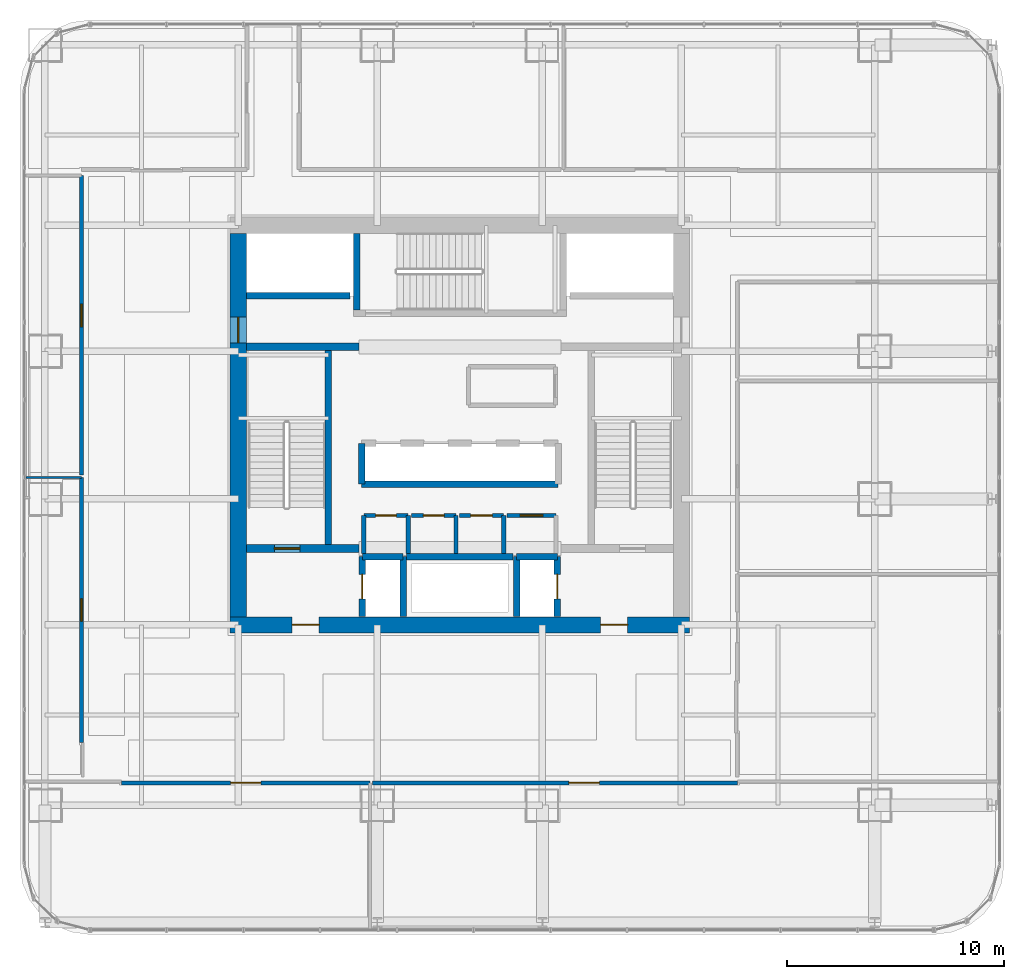
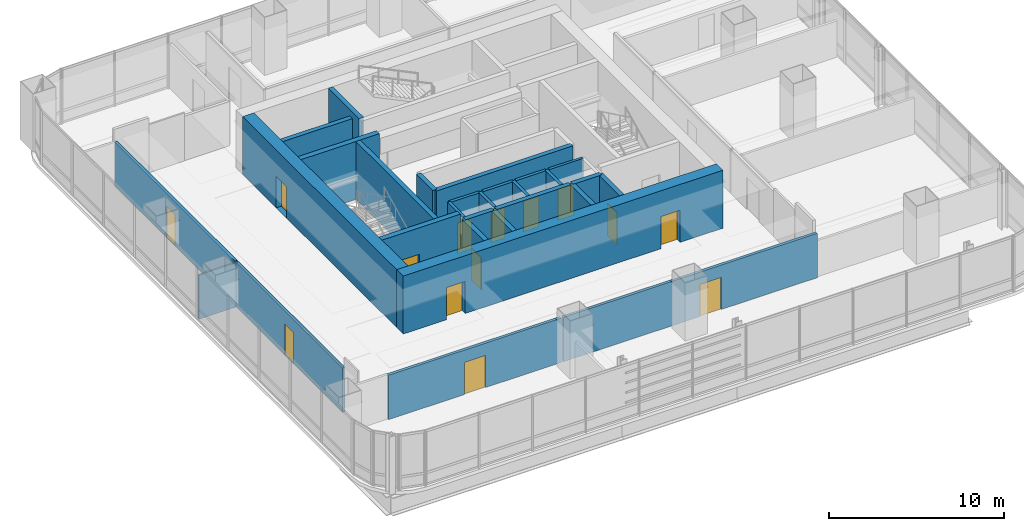
# One storey, part 27 of 35: 29 walls, 14 doors, 14 openings.
"""IFC4 building model written with IfcOpenShell, lengths in metres."""

from ifc_helpers import new_model, si_unit, direction, frame, frame_2d, origin, place, context, subcontext, project, spatial, rectangle, extrude, material, layer, layer_set, type_object, element, fill, save


model = new_model("IFC4")

# Units and contexts
model_context = context("Model", 3, precision=1e-05, world=origin(), true_north=direction((0.0, 1.0)))
body_context = subcontext(model_context, "Body", "Model", "MODEL_VIEW")
ifc_project = project(units=[si_unit("LENGTHUNIT", "METRE"), si_unit("AREAUNIT", "SQUARE_METRE"), si_unit("VOLUMEUNIT", "CUBIC_METRE"), si_unit("PLANEANGLEUNIT", "RADIAN"), si_unit("MASSUNIT", "GRAM", prefix="KILO")], contexts=[model_context])

# Site, building, storey
site_placement = place(None, origin())
site = spatial("IfcSite", under=ifc_project, at=site_placement, CompositionType="ELEMENT")
building_placement = place(site_placement, origin())
building = spatial("IfcBuilding", under=site, at=building_placement, Name="Punatoya Terracotta Tower", CompositionType="ELEMENT")
storey_placement = place(building_placement, frame((0.0, 0.0, 72.75)))
storey = spatial("IfcBuildingStorey", under=building, at=storey_placement, Name="L16", CompositionType="ELEMENT", Elevation=72.75)

# Wall, openings, doors
ifc_material_1 = material(Name="Concrete C60/75", Category="concrete")
ifc_layer_1 = layer(ifc_material_1, 0.75)
ifc_layer_set_1 = layer_set([ifc_layer_1], Name="Concrete C60/75")
wall_type_1 = type_object("IfcWallType", Name="WL-COR-750", PredefinedType="SHEAR", material=ifc_layer_set_1)
wall_1_placement = place(storey_placement, frame((10.574951171875, -9.199951171875, 0.0), z_axis=(0.0, 0.0, 1.0), x_axis=(-1.0, 0.0, 0.0)))
wall_1 = element("IfcWall", 1, at=wall_1_placement, inside=storey, type_object=wall_type_1, Name="L16 Core Shear Wall S", PredefinedType="SHEAR", context=body_context, shape_type="SweptSolid", body=[
    extrude(rectangle(XDim=21.14990234375, YDim=0.75, at=frame_2d((10.574951171875, 0.0))), origin(), (0.0, 0.0, 1.0), 4.050048828125),
])
opening_1_placement = place(wall_1_placement, frame((2.85009765625, 0.0, 0.0)))
opening_1 = element("IfcOpeningElement", 2, at=opening_1_placement, cuts=wall_1, Name="Opening FD-L1", PredefinedType="OPENING", context=body_context, shape_type="SweptSolid", body=[
    extrude(rectangle(XDim=1.25, YDim=2.25, at=frame_2d((0.625, 1.125))), frame((0.0, 0.385009765625, 0.0), z_axis=(0.0, -1.0, 0.0), x_axis=(1.0, 0.0, 0.0)), (0.0, 0.0, 1.0), 0.77001953125),
])
opening_2_placement = place(wall_1_placement, frame((17.050048828125, 0.0, 0.0)))
opening_2 = element("IfcOpeningElement", 3, at=opening_2_placement, cuts=wall_1, Name="Opening FD-L1", PredefinedType="OPENING", context=body_context, shape_type="SweptSolid", body=[
    extrude(rectangle(XDim=1.25, YDim=2.25, at=frame_2d((0.625, 1.125))), frame((0.0, 0.385009765625, 0.0), z_axis=(0.0, -1.0, 0.0), x_axis=(1.0, 0.0, 0.0)), (0.0, 0.0, 1.0), 0.77001953125),
])
ifc_material_2 = material(Name="Galvanised Steel Smokeproof Fire Door", Category="steel")
door_type_1 = type_object("IfcDoorType", Name="DR-FFL-1250", OperationType="NOTDEFINED", PredefinedType="DOOR", material=ifc_material_2)
door_1_placement = place(opening_1_placement, origin())
door_1 = element("IfcDoor", 4, at=door_1_placement, inside=storey, type_object=door_type_1, Name="L16 East Firefighting Lobby Corridor Fire Door", OperationType="SINGLE_SWING_LEFT", OverallHeight=2.25, OverallWidth=1.25, PredefinedType="DOOR", context=body_context, shape_type="SweptSolid", body=[
    extrude(rectangle(XDim=1.25, YDim=2.25, at=frame_2d((0.625, 1.125))), frame((0.0, 0.02490234375, 0.0), z_axis=(0.0, -1.0, 0.0), x_axis=(1.0, 0.0, 0.0)), (0.0, 0.0, 1.0), 0.050048828125),
])
fill(opening_1, door_1)
door_2_placement = place(opening_2_placement, origin())
door_2 = element("IfcDoor", 5, at=door_2_placement, inside=storey, type_object=door_type_1, Name="L16 West Firefighting Lobby Corridor Fire Door", OperationType="SINGLE_SWING_RIGHT", OverallHeight=2.25, OverallWidth=1.25, PredefinedType="DOOR", context=body_context, shape_type="SweptSolid", body=[
    extrude(rectangle(XDim=1.25, YDim=2.25, at=frame_2d((0.625, 1.125))), frame((0.0, 0.02490234375, 0.0), z_axis=(0.0, -1.0, 0.0), x_axis=(1.0, 0.0, 0.0)), (0.0, 0.0, 1.0), 0.050048828125),
])
fill(opening_2, door_2)

# Wall, opening, door
wall_2_placement = place(storey_placement, frame((-10.199951171875, -8.824951171875, 0.0), z_axis=(0.0, 0.0, 1.0), x_axis=(0.0, 1.0, 0.0)))
wall_2 = element("IfcWall", 6, at=wall_2_placement, inside=storey, type_object=wall_type_1, Name="L16 Core Shear Wall W", PredefinedType="SHEAR", context=body_context, shape_type="SweptSolid", body=[
    extrude(rectangle(XDim=17.64990234375, YDim=0.75, at=frame_2d((8.824951171875, 0.0))), origin(), (0.0, 0.0, 1.0), 4.050048828125),
])
opening_3_placement = place(wall_2_placement, frame((12.614990234375, 0.0, 0.0)))
opening_3 = element("IfcOpeningElement", 7, at=opening_3_placement, cuts=wall_2, Name="Opening SD-01", PredefinedType="OPENING", context=body_context, shape_type="SweptSolid", body=[
    extrude(rectangle(XDim=1.179931640625, YDim=2.199951171875, at=frame_2d((0.58984375, 1.10009765625))), frame((0.0, 0.385009765625, 0.0), z_axis=(0.0, -1.0, 0.0), x_axis=(1.0, 0.0, 0.0)), (0.0, 0.0, 1.0), 0.77001953125),
])
ifc_material_3 = material(Name="Galvanised Steel Pressurized Stair Fire Door", Category="steel")
door_type_2 = type_object("IfcDoorType", Name="DR-STR-1180", OperationType="NOTDEFINED", PredefinedType="DOOR", material=ifc_material_3)
door_3_placement = place(opening_3_placement, origin())
door_3 = element("IfcDoor", 8, at=door_3_placement, inside=storey, type_object=door_type_2, Name="L16 Central Lift Lobby West Fire Door", OperationType="SINGLE_SWING_LEFT", OverallHeight=2.199951171875, OverallWidth=1.179931640625, PredefinedType="DOOR", context=body_context, shape_type="SweptSolid", body=[
    extrude(rectangle(XDim=1.179931640625, YDim=2.199951171875, at=frame_2d((0.58984375, 1.10009765625))), frame((0.0, 0.02490234375, 0.0), z_axis=(0.0, -1.0, 0.0), x_axis=(1.0, 0.0, 0.0)), (0.0, 0.0, 1.0), 0.050048828125),
])
fill(opening_3, door_3)

ifc_material_4 = material(Name="Gypsum Fireboard + Steel Stud", Category="steel")
ifc_layer_2 = layer(ifc_material_4, 0.179931640625)
ifc_layer_set_2 = layer_set([ifc_layer_2], Name="Gypsum Fireboard + Steel Stud")
wall_type_2 = type_object("IfcWallType", Name="WL-CORR-180", PredefinedType="PARTITIONING", material=ifc_layer_set_2)
wall_3_placement = place(storey_placement, frame((4.419921875, -4.159912109375, 0.0), z_axis=(0.0, 0.0, 1.0), x_axis=(-1.0, 0.0, 0.0)))
wall_3 = element("IfcWall", 9, at=wall_3_placement, inside=storey, type_object=wall_type_2, Name="L16 Core Reprographics Studio Partition 09", PredefinedType="PARTITIONING", context=body_context, shape_type="SweptSolid", body=[
    extrude(rectangle(XDim=2.239990234375, YDim=0.179931640625, at=frame_2d((1.1201171875, 0.0))), origin(), (0.0, 0.0, 1.0), 3.81005859375),
])
opening_4_placement = place(wall_3_placement, frame((0.594970703125, 0.0, 0.0)))
opening_4 = element("IfcOpeningElement", 10, at=opening_4_placement, cuts=wall_3, Name="Opening OD-01", PredefinedType="OPENING", context=body_context, shape_type="SweptSolid", body=[
    extrude(rectangle(XDim=1.050048828125, YDim=2.199951171875, at=frame_2d((0.52490234375, 1.10009765625))), frame((0.0, 0.099853515625, 0.0), z_axis=(0.0, -1.0, 0.0), x_axis=(1.0, 0.0, 0.0)), (0.0, 0.0, 1.0), 0.199951171875),
])
ifc_material_5 = material(Name="Bengal Teak Solid-Core Leaf")
door_type_3 = type_object("IfcDoorType", Name="DR-OFF-1050", OperationType="NOTDEFINED", PredefinedType="DOOR", material=ifc_material_5)
door_4_placement = place(opening_4_placement, origin())
door_4 = element("IfcDoor", 11, at=door_4_placement, inside=storey, type_object=door_type_3, Name="L16 Reprographics Studio Door", OperationType="SINGLE_SWING_RIGHT", OverallHeight=2.199951171875, OverallWidth=1.050048828125, PredefinedType="DOOR", context=body_context, shape_type="SweptSolid", body=[
    extrude(rectangle(XDim=1.050048828125, YDim=2.199951171875, at=frame_2d((0.52490234375, 1.10009765625))), frame((0.0, 0.02490234375, 0.0), z_axis=(0.0, -1.0, 0.0), x_axis=(1.0, 0.0, 0.0)), (0.0, 0.0, 1.0), 0.050048828125),
])
fill(opening_4, door_4)

wall_4_placement = place(storey_placement, frame((-15.570068359375, -16.469970703125, 0.0), z_axis=(0.0, 0.0, 1.0), x_axis=(1.0, 0.0, 0.0)))
wall_4 = element("IfcWall", 12, at=wall_4_placement, inside=storey, type_object=wall_type_2, Name="L16 Open-Plan Plenary Seminar Room Partition 15", PredefinedType="PARTITIONING", context=body_context, shape_type="SweptSolid", body=[
    extrude(rectangle(XDim=11.427978515625, YDim=0.179931640625, at=frame_2d((5.7138671875, 0.0))), origin(), (0.0, 0.0, 1.0), 3.10400390625),
])
opening_5_placement = place(wall_4_placement, frame((5.013916015625, 0.0, 0.0)))
opening_5 = element("IfcOpeningElement", 13, at=opening_5_placement, cuts=wall_4, Name="Opening BD-01", PredefinedType="OPENING", context=body_context, shape_type="SweptSolid", body=[
    extrude(rectangle(XDim=1.39990234375, YDim=2.25, at=frame_2d((0.699951171875, 1.125))), frame((0.0, 0.099853515625, 0.0), z_axis=(0.0, -1.0, 0.0), x_axis=(1.0, 0.0, 0.0)), (0.0, 0.0, 1.0), 0.199951171875),
])
ifc_material_6 = material(Name="Bengal Teak Acoustic Leaf")
door_type_4 = type_object("IfcDoorType", Name="DR-BRD-1400", OperationType="NOTDEFINED", PredefinedType="DOOR", material=ifc_material_6)
door_5_placement = place(opening_5_placement, origin())
door_5 = element("IfcDoor", 14, at=door_5_placement, inside=storey, type_object=door_type_4, Name="L16 Open-Plan Plenary Seminar Room Door", OperationType="SINGLE_SWING_RIGHT", OverallHeight=2.25, OverallWidth=1.39990234375, PredefinedType="DOOR", context=body_context, shape_type="SweptSolid", body=[
    extrude(rectangle(XDim=1.39990234375, YDim=2.25, at=frame_2d((0.699951171875, 1.125))), frame((0.0, 0.02490234375, 0.0), z_axis=(0.0, -1.0, 0.0), x_axis=(1.0, 0.0, 0.0)), (0.0, 0.0, 1.0), 0.050048828125),
])
fill(opening_5, door_5)

wall_5_placement = place(storey_placement, frame((-4.02197265625, -16.469970703125, 0.0), z_axis=(0.0, 0.0, 1.0), x_axis=(1.0, 0.0, 0.0)))
wall_5 = element("IfcWall", 15, at=wall_5_placement, inside=storey, type_object=wall_type_2, Name="L16 Client Strategy Boardroom Partition 17", PredefinedType="PARTITIONING", context=body_context, shape_type="SweptSolid", body=[
    extrude(rectangle(XDim=16.7919921875, YDim=0.179931640625, at=frame_2d((8.39599609375, 0.0))), origin(), (0.0, 0.0, 1.0), 3.10400390625),
])
opening_6_placement = place(wall_5_placement, frame((9.0458984375, 0.0, 0.0)))
opening_6 = element("IfcOpeningElement", 16, at=opening_6_placement, cuts=wall_5, Name="Opening BD-01", PredefinedType="OPENING", context=body_context, shape_type="SweptSolid", body=[
    extrude(rectangle(XDim=1.39990234375, YDim=2.25, at=frame_2d((0.699951171875, 1.125))), frame((0.0, 0.099853515625, 0.0), z_axis=(0.0, -1.0, 0.0), x_axis=(1.0, 0.0, 0.0)), (0.0, 0.0, 1.0), 0.199951171875),
])
door_6_placement = place(opening_6_placement, origin())
door_6 = element("IfcDoor", 17, at=door_6_placement, inside=storey, type_object=door_type_4, Name="L16 Client Strategy Boardroom Door", OperationType="SINGLE_SWING_LEFT", OverallHeight=2.25, OverallWidth=1.39990234375, PredefinedType="DOOR", context=body_context, shape_type="SweptSolid", body=[
    extrude(rectangle(XDim=1.39990234375, YDim=2.25, at=frame_2d((0.699951171875, 1.125))), frame((0.0, 0.02490234375, 0.0), z_axis=(0.0, -1.0, 0.0), x_axis=(1.0, 0.0, 0.0)), (0.0, 0.0, 1.0), 0.050048828125),
])
fill(opening_6, door_6)

wall_6_placement = place(storey_placement, frame((-17.419921875, -2.409912109375, 0.0), z_axis=(0.0, 0.0, 1.0), x_axis=(0.0, -1.0, 0.0)))
wall_6 = element("IfcWall", 18, at=wall_6_placement, inside=storey, type_object=wall_type_2, Name="L16 Open-Plan Executive Briefing Room Partition 24", PredefinedType="PARTITIONING", context=body_context, shape_type="SweptSolid", body=[
    extrude(rectangle(XDim=12.210205078125, YDim=0.179931640625, at=frame_2d((6.10498046875, 0.0))), origin(), (0.0, 0.0, 1.0), 3.10400390625),
])
opening_7_placement = place(wall_6_placement, frame((5.594970703125, 0.0, 0.0)))
opening_7 = element("IfcOpeningElement", 19, at=opening_7_placement, cuts=wall_6, Name="Opening MD-01", PredefinedType="OPENING", context=body_context, shape_type="SweptSolid", body=[
    extrude(rectangle(XDim=1.02001953125, YDim=2.199951171875, at=frame_2d((0.510009765625, 1.10009765625))), frame((0.0, 0.099853515625, 0.0), z_axis=(0.0, -1.0, 0.0), x_axis=(1.0, 0.0, 0.0)), (0.0, 0.0, 1.0), 0.199951171875),
])
ifc_material_7 = material(Name="Aluminium + Acoustic Glass Leaf", Category="aluminium")
door_type_5 = type_object("IfcDoorType", Name="DR-MTG-1020", OperationType="NOTDEFINED", PredefinedType="DOOR", material=ifc_material_7)
door_7_placement = place(opening_7_placement, origin())
door_7 = element("IfcDoor", 20, at=door_7_placement, inside=storey, type_object=door_type_5, Name="L16 Open-Plan Executive Briefing Room Door", OperationType="SINGLE_SWING_LEFT", OverallHeight=2.199951171875, OverallWidth=1.02001953125, PredefinedType="DOOR", context=body_context, shape_type="SweptSolid", body=[
    extrude(rectangle(XDim=1.02001953125, YDim=2.199951171875, at=frame_2d((0.510009765625, 1.10009765625))), frame((0.0, 0.02490234375, 0.0), z_axis=(0.0, -1.0, 0.0), x_axis=(1.0, 0.0, 0.0)), (0.0, 0.0, 1.0), 0.050048828125),
])
fill(opening_7, door_7)

wall_7_placement = place(storey_placement, frame((-17.419921875, 11.489990234375, 0.0), z_axis=(0.0, 0.0, 1.0), x_axis=(0.0, -1.0, 0.0)))
wall_7 = element("IfcWall", 21, at=wall_7_placement, inside=storey, type_object=wall_type_2, Name="L16 Open-Plan Wellness Focus Room Partition 31", PredefinedType="PARTITIONING", context=body_context, shape_type="SweptSolid", body=[
    extrude(rectangle(XDim=13.780029296875, YDim=0.179931640625, at=frame_2d((6.89013671875, 0.0))), origin(), (0.0, 0.0, 1.0), 3.10400390625),
])
opening_8_placement = place(wall_7_placement, frame((5.9150390625, 0.0, 0.0)))
opening_8 = element("IfcOpeningElement", 22, at=opening_8_placement, cuts=wall_7, Name="Opening OD-01", PredefinedType="OPENING", context=body_context, shape_type="SweptSolid", body=[
    extrude(rectangle(XDim=1.050048828125, YDim=2.199951171875, at=frame_2d((0.52490234375, 1.10009765625))), frame((0.0, 0.099853515625, 0.0), z_axis=(0.0, -1.0, 0.0), x_axis=(1.0, 0.0, 0.0)), (0.0, 0.0, 1.0), 0.199951171875),
])
door_8_placement = place(opening_8_placement, origin())
door_8 = element("IfcDoor", 23, at=door_8_placement, inside=storey, type_object=door_type_3, Name="L16 Open-Plan Wellness Focus Room Door", OperationType="SINGLE_SWING_RIGHT", OverallHeight=2.199951171875, OverallWidth=1.050048828125, PredefinedType="DOOR", context=body_context, shape_type="SweptSolid", body=[
    extrude(rectangle(XDim=1.050048828125, YDim=2.199951171875, at=frame_2d((0.52490234375, 1.10009765625))), frame((0.0, 0.02490234375, 0.0), z_axis=(0.0, -1.0, 0.0), x_axis=(1.0, 0.0, 0.0)), (0.0, 0.0, 1.0), 0.050048828125),
])
fill(opening_8, door_8)

# Walls
ifc_material_8 = material(Name="Aluminium Framed Acoustic Glass Partition", Category="aluminium")
ifc_layer_3 = layer(ifc_material_8, 0.10009765625)
ifc_layer_set_3 = layer_set([ifc_layer_3], Name="Aluminium Framed Acoustic Glass Partition")
wall_type_3 = type_object("IfcWallType", Name="WL-GLZ-100", PredefinedType="PARTITIONING", material=ifc_layer_set_3)
wall_8_placement = place(storey_placement, frame((-19.969970703125, -2.409912109375, 0.0), z_axis=(0.0, 0.0, 1.0), x_axis=(1.0, 0.0, 0.0)))
element("IfcWall", 24, at=wall_8_placement, inside=storey, type_object=wall_type_3, Name="L16 Open-Plan Executive Briefing Room Partition 23", PredefinedType="PARTITIONING", context=body_context, shape_type="SweptSolid", body=[
    extrude(rectangle(XDim=2.550048828125, YDim=0.10009765625, at=frame_2d((1.27490234375, 0.0))), origin(), (0.0, 0.0, 1.0), 3.10400390625),
])
ifc_material_9 = material(Name="Concrete C40/50", Category="concrete")
ifc_layer_4 = layer(ifc_material_9, 0.199951171875)
ifc_layer_set_4 = layer_set([ifc_layer_4], Name="Concrete C40/50")
wall_type_4 = type_object("IfcWallType", Name="WL-INT-200", PredefinedType="SOLIDWALL", material=ifc_layer_set_4)
wall_9_placement = place(storey_placement, frame((-2.3798828125, -5.89990234375, 0.0), z_axis=(0.0, 0.0, 1.0), x_axis=(0.0, 1.0, 0.0)))
element("IfcWall", 25, at=wall_9_placement, inside=storey, type_object=wall_type_4, Name="L16 Male Washroom Partition 01", PredefinedType="SOLIDWALL", context=body_context, shape_type="SweptSolid", body=[
    extrude(rectangle(XDim=1.739990234375, YDim=0.199951171875, at=frame_2d((0.8701171875, 0.0))), origin(), (0.0, 0.0, 1.0), 3.81005859375),
])

# Wall, opening, door
wall_10_placement = place(storey_placement, frame((-2.3798828125, -4.159912109375, 0.0), z_axis=(0.0, 0.0, 1.0), x_axis=(-1.0, 0.0, 0.0)))
wall_10 = element("IfcWall", 26, at=wall_10_placement, inside=storey, type_object=wall_type_4, Name="L16 Male Washroom Partition 02", PredefinedType="SOLIDWALL", context=body_context, shape_type="SweptSolid", body=[
    extrude(rectangle(XDim=2.0400390625, YDim=0.199951171875, at=frame_2d((1.02001953125, 0.0))), origin(), (0.0, 0.0, 1.0), 3.81005859375),
])
opening_9_placement = place(wall_10_placement, frame((0.544921875, 0.0, 0.0)))
opening_9 = element("IfcOpeningElement", 27, at=opening_9_placement, cuts=wall_10, Name="Opening WD-01", PredefinedType="OPENING", context=body_context, shape_type="SweptSolid", body=[
    extrude(rectangle(XDim=0.949951171875, YDim=2.14990234375, at=frame_2d((0.47509765625, 1.074951171875))), frame((0.0, 0.10986328125, 0.0), z_axis=(0.0, -1.0, 0.0), x_axis=(1.0, 0.0, 0.0)), (0.0, 0.0, 1.0), 0.219970703125),
])
ifc_material_10 = material(Name="Moisture-Resistant Laminate Timber Leaf", Category="wood")
door_type_6 = type_object("IfcDoorType", Name="DR-WC-950", OperationType="NOTDEFINED", PredefinedType="DOOR", material=ifc_material_10)
door_9_placement = place(opening_9_placement, origin())
door_9 = element("IfcDoor", 28, at=door_9_placement, inside=storey, type_object=door_type_6, Name="L16 Male Washroom Door", OperationType="SINGLE_SWING_LEFT", OverallHeight=2.14990234375, OverallWidth=0.949951171875, PredefinedType="DOOR", context=body_context, shape_type="SweptSolid", body=[
    extrude(rectangle(XDim=0.949951171875, YDim=2.14990234375, at=frame_2d((0.47509765625, 1.074951171875))), frame((0.0, 0.02490234375, 0.0), z_axis=(0.0, -1.0, 0.0), x_axis=(1.0, 0.0, 0.0)), (0.0, 0.0, 1.0), 0.050048828125),
])
fill(opening_9, door_9)

# Walls
for number, where, z_axis, x_axis, name in (
    (29, (-4.419921875, -4.159912109375, 0.0), (0.0, 0.0, 1.0), (0.0, -1.0, 0.0), "L16 Male Washroom Partition 03"),
    (30, (-0.179931640625, -5.89990234375, 0.0), (0.0, 0.0, 1.0), (0.0, 1.0, 0.0), "L16 Female Washroom Partition 04"),
):
    element("IfcWall", number, at=place(storey_placement, frame(where, z_axis=z_axis, x_axis=x_axis)), inside=storey, type_object=wall_type_4, Name=name, PredefinedType="SOLIDWALL", context=body_context, shape_type="SweptSolid", body=[
        extrude(rectangle(XDim=1.739990234375, YDim=0.199951171875, at=frame_2d((0.8701171875, 0.0))), origin(), (0.0, 0.0, 1.0), 3.81005859375),
    ])

# Wall, opening, door
wall_11_placement = place(storey_placement, frame((-0.179931640625, -4.159912109375, 0.0), z_axis=(0.0, 0.0, 1.0), x_axis=(-1.0, 0.0, 0.0)))
wall_11 = element("IfcWall", 31, at=wall_11_placement, inside=storey, type_object=wall_type_4, Name="L16 Female Washroom Partition 05", PredefinedType="SOLIDWALL", context=body_context, shape_type="SweptSolid", body=[
    extrude(rectangle(XDim=2.0400390625, YDim=0.199951171875, at=frame_2d((1.02001953125, 0.0))), origin(), (0.0, 0.0, 1.0), 3.81005859375),
])
opening_10_placement = place(wall_11_placement, frame((0.544921875, 0.0, 0.0)))
opening_10 = element("IfcOpeningElement", 32, at=opening_10_placement, cuts=wall_11, Name="Opening WD-01", PredefinedType="OPENING", context=body_context, shape_type="SweptSolid", body=[
    extrude(rectangle(XDim=0.949951171875, YDim=2.14990234375, at=frame_2d((0.47509765625, 1.074951171875))), frame((0.0, 0.10986328125, 0.0), z_axis=(0.0, -1.0, 0.0), x_axis=(1.0, 0.0, 0.0)), (0.0, 0.0, 1.0), 0.219970703125),
])
door_10_placement = place(opening_10_placement, origin())
door_10 = element("IfcDoor", 33, at=door_10_placement, inside=storey, type_object=door_type_6, Name="L16 Female Washroom Door", OperationType="SINGLE_SWING_RIGHT", OverallHeight=2.14990234375, OverallWidth=0.949951171875, PredefinedType="DOOR", context=body_context, shape_type="SweptSolid", body=[
    extrude(rectangle(XDim=0.949951171875, YDim=2.14990234375, at=frame_2d((0.47509765625, 1.074951171875))), frame((0.0, 0.02490234375, 0.0), z_axis=(0.0, -1.0, 0.0), x_axis=(1.0, 0.0, 0.0)), (0.0, 0.0, 1.0), 0.050048828125),
])
fill(opening_10, door_10)

# Wall
wall_12_placement = place(storey_placement, frame((2.02001953125, -5.89990234375, 0.0), z_axis=(0.0, 0.0, 1.0), x_axis=(0.0, 1.0, 0.0)))
element("IfcWall", 34, at=wall_12_placement, inside=storey, type_object=wall_type_4, Name="L16 Accessible Universal Washroom Partition 06", PredefinedType="SOLIDWALL", context=body_context, shape_type="SweptSolid", body=[
    extrude(rectangle(XDim=1.739990234375, YDim=0.199951171875, at=frame_2d((0.8701171875, 0.0))), origin(), (0.0, 0.0, 1.0), 3.81005859375),
])

# Wall, opening, door
wall_13_placement = place(storey_placement, frame((2.02001953125, -4.159912109375, 0.0), z_axis=(0.0, 0.0, 1.0), x_axis=(-1.0, 0.0, 0.0)))
wall_13 = element("IfcWall", 35, at=wall_13_placement, inside=storey, type_object=wall_type_4, Name="L16 Accessible Universal Washroom Partition 07", PredefinedType="SOLIDWALL", context=body_context, shape_type="SweptSolid", body=[
    extrude(rectangle(XDim=2.0400390625, YDim=0.199951171875, at=frame_2d((1.02001953125, 0.0))), origin(), (0.0, 0.0, 1.0), 3.81005859375),
])
opening_11_placement = place(wall_13_placement, frame((0.52001953125, 0.0, 0.0)))
opening_11 = element("IfcOpeningElement", 36, at=opening_11_placement, cuts=wall_13, Name="Opening AWD-1", PredefinedType="OPENING", context=body_context, shape_type="SweptSolid", body=[
    extrude(rectangle(XDim=1.0, YDim=2.14990234375, at=frame_2d((0.5, 1.074951171875))), frame((0.0, 0.10986328125, 0.0), z_axis=(0.0, -1.0, 0.0), x_axis=(1.0, 0.0, 0.0)), (0.0, 0.0, 1.0), 0.219970703125),
])
ifc_material_11 = material(Name="Bengal Teak Accessible WC Leaf")
door_type_7 = type_object("IfcDoorType", Name="DR-ACC-1000", OperationType="NOTDEFINED", PredefinedType="DOOR", material=ifc_material_11)
door_11_placement = place(opening_11_placement, origin())
door_11 = element("IfcDoor", 37, at=door_11_placement, inside=storey, type_object=door_type_7, Name="L16 Accessible Universal Washroom Door", OperationType="SINGLE_SWING_LEFT", OverallHeight=2.14990234375, OverallWidth=1.0, PredefinedType="DOOR", context=body_context, shape_type="SweptSolid", body=[
    extrude(rectangle(XDim=1.0, YDim=2.14990234375, at=frame_2d((0.5, 1.074951171875))), frame((0.0, 0.02490234375, 0.0), z_axis=(0.0, -1.0, 0.0), x_axis=(1.0, 0.0, 0.0)), (0.0, 0.0, 1.0), 0.050048828125),
])
fill(opening_11, door_11)

# Walls
ifc_layer_5 = layer(ifc_material_9, 0.300048828125)
ifc_layer_set_5 = layer_set([ifc_layer_5], Name="Concrete C40/50")
wall_type_5 = type_object("IfcWallType", Name="WL-SHF-300", PredefinedType="SOLIDWALL", material=ifc_layer_set_5)
wall_14_placement = place(storey_placement, frame((-6.050048828125, -5.5, 0.0), z_axis=(0.0, 0.0, 1.0), x_axis=(0.0, 1.0, 0.0)))
element("IfcWall", 38, at=wall_14_placement, inside=storey, type_object=wall_type_5, Name="L16 Structural Stair Shaft Wall SW-ST1-E", PredefinedType="SOLIDWALL", context=body_context, shape_type="SweptSolid", body=[
    extrude(rectangle(XDim=8.949951171875, YDim=0.300048828125, at=frame_2d((4.47509765625, 0.0))), origin(), (0.0, 0.0, 1.0), 4.050048828125),
])
wall_15_placement = place(storey_placement, frame((-4.75, 5.300048828125, 0.0), z_axis=(0.0, 0.0, 1.0), x_axis=(0.0, 1.0, 0.0)))
element("IfcWall", 39, at=wall_15_placement, inside=storey, type_object=wall_type_5, Name="L16 Structural Stair Shaft Wall SW-ST3-W", PredefinedType="SOLIDWALL", context=body_context, shape_type="SweptSolid", body=[
    extrude(rectangle(XDim=3.52490234375, YDim=0.300048828125, at=frame_2d((1.762451171875, 0.0))), origin(), (0.0, 0.0, 1.0), 4.050048828125),
])

# Wall, opening, door
wall_16_placement = place(storey_placement, frame((-4.489990234375, -8.820068359375, 0.0), z_axis=(0.0, 0.0, 1.0), x_axis=(0.0, 1.0, 0.0)))
wall_16 = element("IfcWall", 40, at=wall_16_placement, inside=storey, type_object=wall_type_5, Name="L16 FFL-1 Front Hoistway Wall", PredefinedType="SOLIDWALL", context=body_context, shape_type="SweptSolid", body=[
    extrude(rectangle(XDim=2.77001953125, YDim=0.300048828125, at=frame_2d((1.385009765625, 0.0))), origin(), (0.0, 0.0, 1.0), 3.81005859375),
])
opening_12_placement = place(wall_16_placement, frame((0.824951171875, 0.0, 0.0)))
opening_12 = element("IfcOpeningElement", 41, at=opening_12_placement, cuts=wall_16, Name="Opening LD-02", PredefinedType="OPENING", context=body_context, shape_type="SweptSolid", body=[
    extrude(rectangle(XDim=1.1201171875, YDim=2.25, at=frame_2d((0.56005859375, 1.125))), frame((0.0, 0.159912109375, 0.0), z_axis=(0.0, -1.0, 0.0), x_axis=(1.0, 0.0, 0.0)), (0.0, 0.0, 1.0), 0.320068359375),
])
ifc_material_12 = material(Name="Stainless Steel Lift Landing Door", Category="steel")
door_type_8 = type_object("IfcDoorType", Name="DR-LND-1120", OperationType="NOTDEFINED", PredefinedType="DOOR", material=ifc_material_12)
door_12_placement = place(opening_12_placement, origin())
door_12 = element("IfcDoor", 42, at=door_12_placement, inside=storey, type_object=door_type_8, Name="L16 Firefighting Lift FFL-1 Sliding Landing Door", OperationType="SLIDING_TO_LEFT", OverallHeight=2.25, OverallWidth=1.1201171875, PredefinedType="DOOR", context=body_context, shape_type="SweptSolid", body=[
    extrude(rectangle(XDim=1.1201171875, YDim=2.25, at=frame_2d((0.56005859375, 1.125))), frame((0.0, 0.02490234375, 0.0), z_axis=(0.0, -1.0, 0.0), x_axis=(1.0, 0.0, 0.0)), (0.0, 0.0, 1.0), 0.050048828125),
])
fill(opening_12, door_12)

# Walls
wall_17_placement = place(storey_placement, frame((-2.610107421875, -8.820068359375, 0.0), z_axis=(0.0, 0.0, 1.0), x_axis=(0.0, 1.0, 0.0)))
element("IfcWall", 43, at=wall_17_placement, inside=storey, type_object=wall_type_5, Name="L16 FFL-1 Rear Hoistway Wall", PredefinedType="SOLIDWALL", context=body_context, shape_type="SweptSolid", body=[
    extrude(rectangle(XDim=2.77001953125, YDim=0.300048828125, at=frame_2d((1.385009765625, 0.0))), origin(), (0.0, 0.0, 1.0), 3.81005859375),
])
wall_18_placement = place(storey_placement, frame((-4.489990234375, -6.050048828125, 0.0), z_axis=(0.0, 0.0, 1.0), x_axis=(1.0, 0.0, 0.0)))
element("IfcWall", 44, at=wall_18_placement, inside=storey, type_object=wall_type_5, Name="L16 FFL-1 North Hoistway Wall", PredefinedType="SOLIDWALL", context=body_context, shape_type="SweptSolid", body=[
    extrude(rectangle(XDim=1.8798828125, YDim=0.300048828125, at=frame_2d((0.93994140625, 0.0))), origin(), (0.0, 0.0, 1.0), 3.81005859375),
])

# Wall, opening, door
wall_19_placement = place(storey_placement, frame((4.489990234375, -8.820068359375, 0.0), z_axis=(0.0, 0.0, 1.0), x_axis=(0.0, 1.0, 0.0)))
wall_19 = element("IfcWall", 45, at=wall_19_placement, inside=storey, type_object=wall_type_5, Name="L16 FFL-2 Front Hoistway Wall", PredefinedType="SOLIDWALL", context=body_context, shape_type="SweptSolid", body=[
    extrude(rectangle(XDim=2.77001953125, YDim=0.300048828125, at=frame_2d((1.385009765625, 0.0))), origin(), (0.0, 0.0, 1.0), 3.81005859375),
])
opening_13_placement = place(wall_19_placement, frame((0.824951171875, 0.0, 0.0)))
opening_13 = element("IfcOpeningElement", 46, at=opening_13_placement, cuts=wall_19, Name="Opening LD-02", PredefinedType="OPENING", context=body_context, shape_type="SweptSolid", body=[
    extrude(rectangle(XDim=1.1201171875, YDim=2.25, at=frame_2d((0.56005859375, 1.125))), frame((0.0, 0.159912109375, 0.0), z_axis=(0.0, -1.0, 0.0), x_axis=(1.0, 0.0, 0.0)), (0.0, 0.0, 1.0), 0.320068359375),
])
door_13_placement = place(opening_13_placement, origin())
door_13 = element("IfcDoor", 47, at=door_13_placement, inside=storey, type_object=door_type_8, Name="L16 Firefighting Lift FFL-2 Sliding Landing Door", OperationType="SLIDING_TO_RIGHT", OverallHeight=2.25, OverallWidth=1.1201171875, PredefinedType="DOOR", context=body_context, shape_type="SweptSolid", body=[
    extrude(rectangle(XDim=1.1201171875, YDim=2.25, at=frame_2d((0.56005859375, 1.125))), frame((0.0, 0.02490234375, 0.0), z_axis=(0.0, -1.0, 0.0), x_axis=(1.0, 0.0, 0.0)), (0.0, 0.0, 1.0), 0.050048828125),
])
fill(opening_13, door_13)

# Walls
wall_20_placement = place(storey_placement, frame((2.610107421875, -8.820068359375, 0.0), z_axis=(0.0, 0.0, 1.0), x_axis=(0.0, 1.0, 0.0)))
element("IfcWall", 48, at=wall_20_placement, inside=storey, type_object=wall_type_5, Name="L16 FFL-2 Rear Hoistway Wall", PredefinedType="SOLIDWALL", context=body_context, shape_type="SweptSolid", body=[
    extrude(rectangle(XDim=2.77001953125, YDim=0.300048828125, at=frame_2d((1.385009765625, 0.0))), origin(), (0.0, 0.0, 1.0), 3.81005859375),
])
wall_21_placement = place(storey_placement, frame((2.610107421875, -6.050048828125, 0.0), z_axis=(0.0, 0.0, 1.0), x_axis=(1.0, 0.0, 0.0)))
element("IfcWall", 49, at=wall_21_placement, inside=storey, type_object=wall_type_5, Name="L16 FFL-2 North Hoistway Wall", PredefinedType="SOLIDWALL", context=body_context, shape_type="SweptSolid", body=[
    extrude(rectangle(XDim=1.8798828125, YDim=0.300048828125, at=frame_2d((0.93994140625, 0.0))), origin(), (0.0, 0.0, 1.0), 3.81005859375),
])
wall_22_placement = place(storey_placement, frame((-4.52001953125, -2.719970703125, 0.0), z_axis=(0.0, 0.0, 1.0), x_axis=(1.0, 0.0, 0.0)))
element("IfcWall", 50, at=wall_22_placement, inside=storey, type_object=wall_type_5, Name="L16 South Lift Bank Rear Shaft Wall", PredefinedType="SOLIDWALL", context=body_context, shape_type="SweptSolid", body=[
    extrude(rectangle(XDim=9.0400390625, YDim=0.300048828125, at=frame_2d((4.52001953125, 0.0))), origin(), (0.0, 0.0, 1.0), 3.81005859375),
])
wall_23_placement = place(storey_placement, frame((-4.52001953125, -2.719970703125, 0.0), z_axis=(0.0, 0.0, 1.0), x_axis=(0.0, 1.0, 0.0)))
element("IfcWall", 51, at=wall_23_placement, inside=storey, type_object=wall_type_5, Name="L16 South Lift Bank West End Wall", PredefinedType="SOLIDWALL", context=body_context, shape_type="SweptSolid", body=[
    extrude(rectangle(XDim=1.8798828125, YDim=0.300048828125, at=frame_2d((0.93994140625, 0.0))), origin(), (0.0, 0.0, 1.0), 3.81005859375),
])
wall_24_placement = place(storey_placement, frame((-9.820068359375, 5.949951171875, 0.0), z_axis=(0.0, 0.0, 1.0), x_axis=(1.0, 0.0, 0.0)))
element("IfcWall", 52, at=wall_24_placement, inside=storey, type_object=wall_type_5, Name="L16 Shuttle SL-1 South Hoistway Wall", PredefinedType="SOLIDWALL", context=body_context, shape_type="SweptSolid", body=[
    extrude(rectangle(XDim=4.760009765625, YDim=0.300048828125, at=frame_2d((2.3798828125, 0.0))), origin(), (0.0, 0.0, 1.0), 3.81005859375),
])
wall_25_placement = place(storey_placement, frame((-2.449951171875, -6.050048828125, 0.0), z_axis=(0.0, 0.0, 1.0), x_axis=(1.0, 0.0, 0.0)))
element("IfcWall", 53, at=wall_25_placement, inside=storey, type_object=wall_type_5, Name="L16 Observation Shuttle Rear Hoistway Wall", PredefinedType="SOLIDWALL", context=body_context, shape_type="SweptSolid", body=[
    extrude(rectangle(XDim=4.89990234375, YDim=0.300048828125, at=frame_2d((2.449951171875, 0.0))), origin(), (0.0, 0.0, 1.0), 3.81005859375),
])

# Wall, opening, door
ifc_material_13 = material(Name="Concrete C50/60", Category="concrete")
ifc_layer_6 = layer(ifc_material_13, 0.35009765625)
ifc_layer_set_6 = layer_set([ifc_layer_6], Name="Concrete C50/60")
wall_type_6 = type_object("IfcWallType", Name="WL-SHF-350", PredefinedType="SOLIDWALL", material=ifc_layer_set_6)
wall_26_placement = place(storey_placement, frame((-9.824951171875, -5.679931640625, 0.0), z_axis=(0.0, 0.0, 1.0), x_axis=(1.0, 0.0, 0.0)))
wall_26 = element("IfcWall", 54, at=wall_26_placement, inside=storey, type_object=wall_type_6, Name="L16 Core Web Wall CSW-L", PredefinedType="SOLIDWALL", context=body_context, shape_type="SweptSolid", body=[
    extrude(rectangle(XDim=5.175048828125, YDim=0.35009765625, at=frame_2d((2.58740234375, 0.0))), origin(), (0.0, 0.0, 1.0), 4.050048828125),
])
opening_14_placement = place(wall_26_placement, frame((1.284912109375, 0.0, 0.0)))
opening_14 = element("IfcOpeningElement", 55, at=opening_14_placement, cuts=wall_26, Name="Opening SD-01", PredefinedType="OPENING", context=body_context, shape_type="SweptSolid", body=[
    extrude(rectangle(XDim=1.179931640625, YDim=2.199951171875, at=frame_2d((0.58984375, 1.10009765625))), frame((0.0, 0.18505859375, 0.0), z_axis=(0.0, -1.0, 0.0), x_axis=(1.0, 0.0, 0.0)), (0.0, 0.0, 1.0), 0.3701171875),
])
door_14_placement = place(opening_14_placement, origin())
door_14 = element("IfcDoor", 56, at=door_14_placement, inside=storey, type_object=door_type_2, Name="L16 Stair ST-1 Smokeproof Lobby Fire Door", OperationType="SINGLE_SWING_LEFT", OverallHeight=2.199951171875, OverallWidth=1.179931640625, PredefinedType="DOOR", context=body_context, shape_type="SweptSolid", body=[
    extrude(rectangle(XDim=1.179931640625, YDim=2.199951171875, at=frame_2d((0.58984375, 1.10009765625))), frame((0.0, 0.02490234375, 0.0), z_axis=(0.0, -1.0, 0.0), x_axis=(1.0, 0.0, 0.0)), (0.0, 0.0, 1.0), 0.050048828125),
])
fill(opening_14, door_14)

# Wall
wall_27_placement = place(storey_placement, frame((-9.824951171875, 3.60009765625, 0.0), z_axis=(0.0, 0.0, 1.0), x_axis=(1.0, 0.0, 0.0)))
element("IfcWall", 57, at=wall_27_placement, inside=storey, type_object=wall_type_6, Name="L16 Core Web Wall CNW-L", PredefinedType="SOLIDWALL", context=body_context, shape_type="SweptSolid", body=[
    extrude(rectangle(XDim=5.175048828125, YDim=0.35009765625, at=frame_2d((2.58740234375, 0.0))), origin(), (0.0, 0.0, 1.0), 4.050048828125),
])

save(model, "model.ifc")
